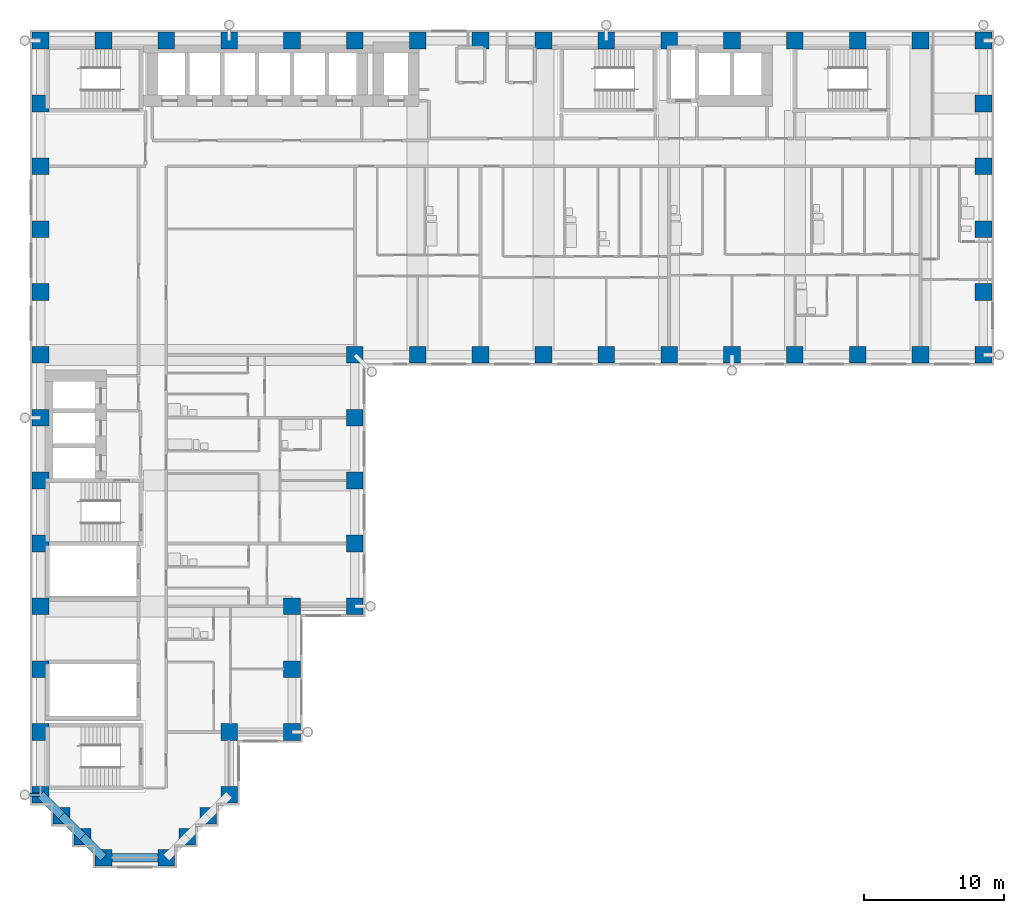
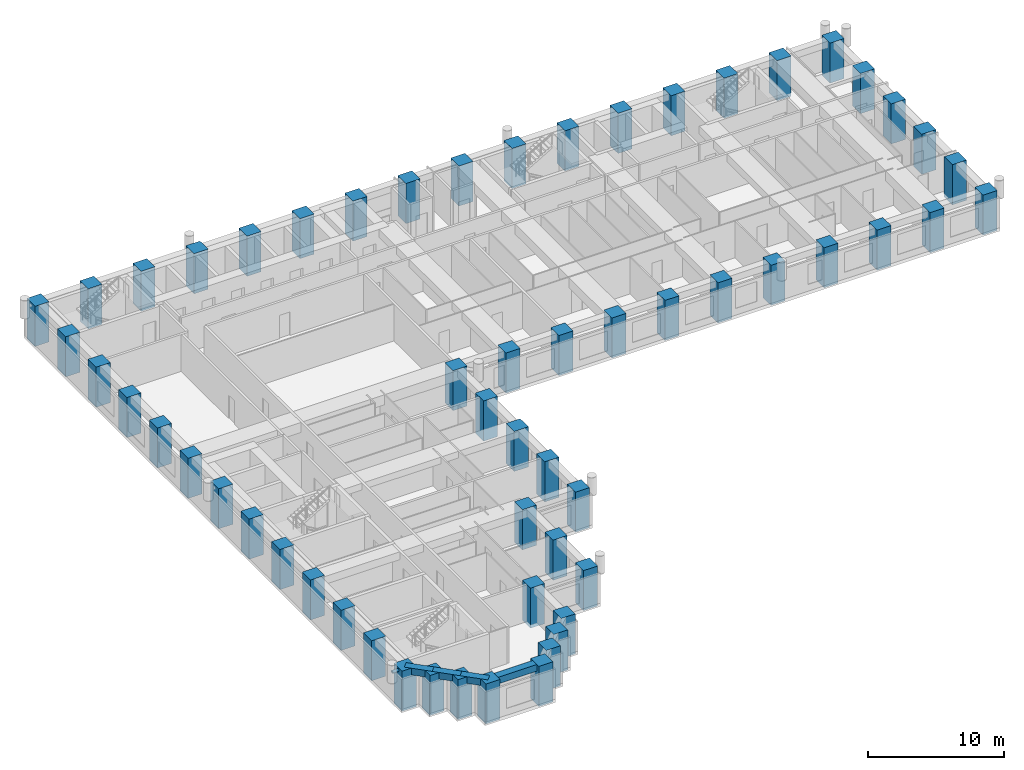
# One storey, part 1 of 14: 58 columns, 4 beams, 1 member.
"""IFC4 building model written with IfcOpenShell, lengths in metres."""

from ifc_helpers import new_model, si_unit, direction, frame, origin, origin_2d, place, context, subcontext, project, spatial, rectangle, hollow_circle, extrude, material, material_profile, profile_set, type_object, element, save


model = new_model("IFC4")

# Units and contexts
model_context = context("Model", 3, precision=1e-05, world=origin(), true_north=direction((0.0, 1.0)))
body_context = subcontext(model_context, "Body", "Model", "MODEL_VIEW")
ifc_project = project(units=[si_unit("LENGTHUNIT", "METRE"), si_unit("AREAUNIT", "SQUARE_METRE"), si_unit("VOLUMEUNIT", "CUBIC_METRE"), si_unit("PLANEANGLEUNIT", "RADIAN"), si_unit("MASSUNIT", "GRAM", prefix="KILO")], contexts=[model_context])

# Site, building, storey
site_placement = place(None, origin())
site = spatial("IfcSite", under=ifc_project, at=site_placement, CompositionType="ELEMENT")
building_placement = place(site_placement, origin())
building = spatial("IfcBuilding", under=site, at=building_placement, Name="Firuza Court", CompositionType="ELEMENT")
storey_placement = place(building_placement, frame((0.0, 0.0, 90.199951171875)))
storey = spatial("IfcBuildingStorey", under=building, at=storey_placement, Name="L22", CompositionType="ELEMENT", Elevation=90.199951171875)

# Columns
ifc_material_1 = material(Name="Concrete C70/85", Category="concrete")
ifc_material_profile_1 = material_profile(ifc_material_1, rectangle(XDim=1.199951171875, YDim=1.199951171875, at=origin_2d()), Name="RC 1200x1200")
ifc_profile_set_1 = profile_set([ifc_material_profile_1], Name="Concrete C70/85")
column_type = type_object("IfcColumnType", Name="Tube column RC 1200x1200 C70/85", PredefinedType="COLUMN", material=ifc_profile_set_1)
for number, where, z_axis, x_axis, name in (
    (1, (4.5, 0.0, -0.300048828125), (0.0, 0.0, 1.0), (1.0, 0.0, 0.0), "Column C-2D L22"),
    (2, (9.0, 0.0, -0.300048828125), (0.0, 0.0, 1.0), (1.0, 0.0, 0.0), "Column C-3D L22"),
    (3, (3.0, 1.5, -0.300048828125), (0.0, 0.0, 1.0), (1.0, 0.0, 0.0), "Column C-SA1 L22"),
    (4, (10.5, 1.5, -0.300048828125), (0.0, 0.0, 1.0), (1.0, 0.0, 0.0), "Column C-SA2 L22"),
    (5, (1.5, 3.0, -0.300048828125), (0.0, 0.0, 1.0), (1.0, 0.0, 0.0), "Column C-SA3 L22"),
    (6, (12.0, 3.0, -0.300048828125), (0.0, 0.0, 1.0), (1.0, 0.0, 0.0), "Column C-SA4 L22"),
    (7, (0.0, 4.5, -0.300048828125), (0.0, 0.0, 1.0), (1.0, 0.0, 0.0), "Column C-1E L22"),
    (8, (13.5, 4.5, -0.300048828125), (0.0, 0.0, 1.0), (1.0, 0.0, 0.0), "Column C-4E L22"),
    (9, (0.0, 9.0, -0.300048828125), (0.0, 0.0, 1.0), (1.0, 0.0, 0.0), "Column C-1F L22"),
    (10, (13.5, 9.0, -0.300048828125), (0.0, 0.0, 1.0), (1.0, 0.0, 0.0), "Column C-4F L22"),
    (11, (18.0, 9.0, -0.300048828125), (0.0, 0.0, 1.0), (1.0, 0.0, 0.0), "Column C-5F L22"),
    (12, (0.0, 13.5, -0.300048828125), (0.0, 0.0, 1.0), (1.0, 0.0, 0.0), "Column C-1G L22"),
    (13, (18.0, 13.5, -0.300048828125), (0.0, 0.0, 1.0), (1.0, 0.0, 0.0), "Column C-5G L22"),
    (14, (0.0, 18.0, -0.300048828125), (0.0, 0.0, 1.0), (1.0, 0.0, 0.0), "Column C-1H L22"),
    (15, (18.0, 18.0, -0.300048828125), (0.0, 0.0, 1.0), (1.0, 0.0, 0.0), "Column C-5H L22"),
    (16, (22.5, 18.0, -0.300048828125), (0.0, 0.0, 1.0), (1.0, 0.0, 0.0), "Column C-6H L22"),
    (17, (0.0, 22.5, -0.300048828125), (0.0, 0.0, 1.0), (1.0, 0.0, 0.0), "Column C-1J L22"),
    (18, (22.5, 22.5, -0.300048828125), (0.0, 0.0, 1.0), (1.0, 0.0, 0.0), "Column C-6J L22"),
    (19, (0.0, 27.0, -0.300048828125), (0.0, 0.0, 1.0), (1.0, 0.0, 0.0), "Column C-1K L22"),
    (20, (22.5, 27.0, -0.300048828125), (0.0, 0.0, 1.0), (1.0, 0.0, 0.0), "Column C-6K L22"),
    (21, (0.0, 31.5, -0.300048828125), (0.0, 0.0, 1.0), (1.0, 0.0, 0.0), "Column C-1L L22"),
    (22, (22.5, 31.5, -0.300048828125), (0.0, 0.0, 1.0), (1.0, 0.0, 0.0), "Column C-6L L22"),
    (23, (0.0, 36.0, -0.300048828125), (0.0, 0.0, 1.0), (1.0, 0.0, 0.0), "Column C-1M L22"),
    (24, (22.5, 36.0, -0.300048828125), (0.0, 0.0, 1.0), (1.0, 0.0, 0.0), "Column C-6M L22"),
    (25, (27.0, 36.0, -0.300048828125), (0.0, 0.0, 1.0), (1.0, 0.0, 0.0), "Column C-7M L22"),
    (26, (31.5, 36.0, -0.300048828125), (0.0, 0.0, 1.0), (1.0, 0.0, 0.0), "Column C-8M L22"),
    (27, (36.0, 36.0, -0.300048828125), (0.0, 0.0, 1.0), (1.0, 0.0, 0.0), "Column C-9M L22"),
    (28, (40.5, 36.0, -0.300048828125), (0.0, 0.0, 1.0), (1.0, 0.0, 0.0), "Column C-10M L22"),
    (29, (45.0, 36.0, -0.300048828125), (0.0, 0.0, 1.0), (1.0, 0.0, 0.0), "Column C-11M L22"),
    (30, (49.5, 36.0, -0.300048828125), (0.0, 0.0, 1.0), (1.0, 0.0, 0.0), "Column C-12M L22"),
    (31, (54.0, 36.0, -0.300048828125), (0.0, 0.0, 1.0), (1.0, 0.0, 0.0), "Column C-13M L22"),
    (32, (58.5, 36.0, -0.300048828125), (0.0, 0.0, 1.0), (1.0, 0.0, 0.0), "Column C-14M L22"),
    (33, (63.0, 36.0, -0.300048828125), (0.0, 0.0, 1.0), (1.0, 0.0, 0.0), "Column C-15M L22"),
    (34, (67.5, 36.0, -0.300048828125), (0.0, 0.0, 1.0), (1.0, 0.0, 0.0), "Column C-16M L22"),
    (35, (0.0, 40.5, -0.300048828125), (0.0, 0.0, 1.0), (1.0, 0.0, 0.0), "Column C-1N L22"),
    (36, (67.5, 40.5, -0.300048828125), (0.0, 0.0, 1.0), (1.0, 0.0, 0.0), "Column C-16N L22"),
    (37, (0.0, 45.0, -0.300048828125), (0.0, 0.0, 1.0), (1.0, 0.0, 0.0), "Column C-1P L22"),
    (38, (67.5, 45.0, -0.300048828125), (0.0, 0.0, 1.0), (1.0, 0.0, 0.0), "Column C-16P L22"),
    (39, (0.0, 49.5, -0.300048828125), (0.0, 0.0, 1.0), (1.0, 0.0, 0.0), "Column C-1Q L22"),
    (40, (67.5, 49.5, -0.300048828125), (0.0, 0.0, 1.0), (1.0, 0.0, 0.0), "Column C-16Q L22"),
    (41, (0.0, 54.0, -0.300048828125), (0.0, 0.0, 1.0), (1.0, 0.0, 0.0), "Column C-1R L22"),
    (42, (67.5, 54.0, -0.300048828125), (0.0, 0.0, 1.0), (1.0, 0.0, 0.0), "Column C-16R L22"),
    (43, (0.0, 58.5, -0.300048828125), (0.0, 0.0, 1.0), (1.0, 0.0, 0.0), "Column C-1S L22"),
    (44, (4.5, 58.5, -0.300048828125), (0.0, 0.0, 1.0), (1.0, 0.0, 0.0), "Column C-2S L22"),
    (45, (9.0, 58.5, -0.300048828125), (0.0, 0.0, 1.0), (1.0, 0.0, 0.0), "Column C-3S L22"),
    (46, (13.5, 58.5, -0.300048828125), (0.0, 0.0, 1.0), (1.0, 0.0, 0.0), "Column C-4S L22"),
    (47, (18.0, 58.5, -0.300048828125), (0.0, 0.0, 1.0), (1.0, 0.0, 0.0), "Column C-5S L22"),
    (48, (22.5, 58.5, -0.300048828125), (0.0, 0.0, 1.0), (1.0, 0.0, 0.0), "Column C-6S L22"),
    (49, (27.0, 58.5, -0.300048828125), (0.0, 0.0, 1.0), (1.0, 0.0, 0.0), "Column C-7S L22"),
    (50, (31.5, 58.5, -0.300048828125), (0.0, 0.0, 1.0), (1.0, 0.0, 0.0), "Column C-8S L22"),
    (51, (36.0, 58.5, -0.300048828125), (0.0, 0.0, 1.0), (1.0, 0.0, 0.0), "Column C-9S L22"),
    (52, (40.5, 58.5, -0.300048828125), (0.0, 0.0, 1.0), (1.0, 0.0, 0.0), "Column C-10S L22"),
    (53, (45.0, 58.5, -0.300048828125), (0.0, 0.0, 1.0), (1.0, 0.0, 0.0), "Column C-11S L22"),
    (54, (49.5, 58.5, -0.300048828125), (0.0, 0.0, 1.0), (1.0, 0.0, 0.0), "Column C-12S L22"),
    (55, (54.0, 58.5, -0.300048828125), (0.0, 0.0, 1.0), (1.0, 0.0, 0.0), "Column C-13S L22"),
    (56, (58.5, 58.5, -0.300048828125), (0.0, 0.0, 1.0), (1.0, 0.0, 0.0), "Column C-14S L22"),
    (57, (63.0, 58.5, -0.300048828125), (0.0, 0.0, 1.0), (1.0, 0.0, 0.0), "Column C-15S L22"),
    (58, (67.5, 58.5, -0.300048828125), (0.0, 0.0, 1.0), (1.0, 0.0, 0.0), "Column C-16S L22"),
):
    element("IfcColumn", number, at=place(storey_placement, frame(where, z_axis=z_axis, x_axis=x_axis)), inside=storey, type_object=column_type, Name=name, PredefinedType="COLUMN", context=body_context, shape_type="SweptSolid", body=[
        extrude(rectangle(XDim=1.199951171875, YDim=1.199951171875, at=origin_2d()), origin(), (0.0, 0.0, 1.0), 3.60009765625),
    ])

# Member
ifc_material_2 = material(Name="Steel S355", Category="steel")
ifc_material_profile_2 = material_profile(ifc_material_2, hollow_circle(Radius=0.136474609375, WallThickness=0.012451171875, at=origin_2d()), Name="CHS 273x12.5")
ifc_profile_set_2 = profile_set([ifc_material_profile_2], Name="Steel S355")
member_type = type_object("IfcMemberType", Name="Diagrid tie CHS 273x12.5 S355", PredefinedType="STRUT", material=ifc_profile_set_2)
member_placement = place(storey_placement, frame((0.0, 4.5, 3.050048828125), z_axis=(-1.0, 0.0, 0.0), x_axis=(0.0, -1.0, 0.0)))
element("IfcMember", 59, at=member_placement, inside=storey, type_object=member_type, Name="Diagrid tie level L23", PredefinedType="STRUT", context=body_context, shape_type="SweptSolid", body=[
    extrude(hollow_circle(Radius=0.136474609375, WallThickness=0.012451171875, at=origin_2d()), origin(), (0.0, 0.0, 1.0), 1.1201171875),
])

# Beams
ifc_material_3 = material(Name="Concrete C40/50", Category="concrete")
ifc_material_profile_3 = material_profile(ifc_material_3, rectangle(XDim=0.60009765625, YDim=0.60009765625, at=origin_2d()), Name="RC 600x600")
ifc_profile_set_3 = profile_set([ifc_material_profile_3], Name="Concrete C40/50")
beam_type = type_object("IfcBeamType", Name="Spandrel beam RC 600x600 C40/50", PredefinedType="BEAM", material=ifc_profile_set_3)
for number, where, z_axis, x_axis, name in (
    (60, (0.0, 4.5, 3.0), (0.707106781187, -0.707106781187, 0.0), (0.707106781187, 0.707106781187, 0.0), "Spandrel beam SP11 level L23"),
    (61, (1.5, 3.0, 3.0), (0.707106781187, -0.707106781187, 0.0), (0.707106781187, 0.707106781187, 0.0), "Spandrel beam SP11 level L23"),
    (62, (3.0, 1.5, 3.0), (0.707106781187, -0.707106781187, 0.0), (0.707106781187, 0.707106781187, 0.0), "Spandrel beam SP11 level L23"),
):
    element("IfcBeam", number, at=place(storey_placement, frame(where, z_axis=z_axis, x_axis=x_axis)), inside=storey, type_object=beam_type, Name=name, PredefinedType="BEAM", context=body_context, shape_type="SweptSolid", body=[
        extrude(rectangle(XDim=0.60009765625, YDim=0.60009765625, at=origin_2d()), origin(), (0.0, 0.0, 1.0), 2.121337890625),
    ])
beam_placement = place(storey_placement, frame((4.5, 0.0, 3.0), z_axis=(1.0, 0.0, 0.0), x_axis=(0.0, 1.0, 0.0)))
element("IfcBeam", 63, at=beam_placement, inside=storey, type_object=beam_type, Name="Spandrel beam SP11 level L23", PredefinedType="BEAM", context=body_context, shape_type="SweptSolid", body=[
    extrude(rectangle(XDim=0.60009765625, YDim=0.60009765625, at=origin_2d()), origin(), (0.0, 0.0, 1.0), 4.5),
])

save(model, "model.ifc")
